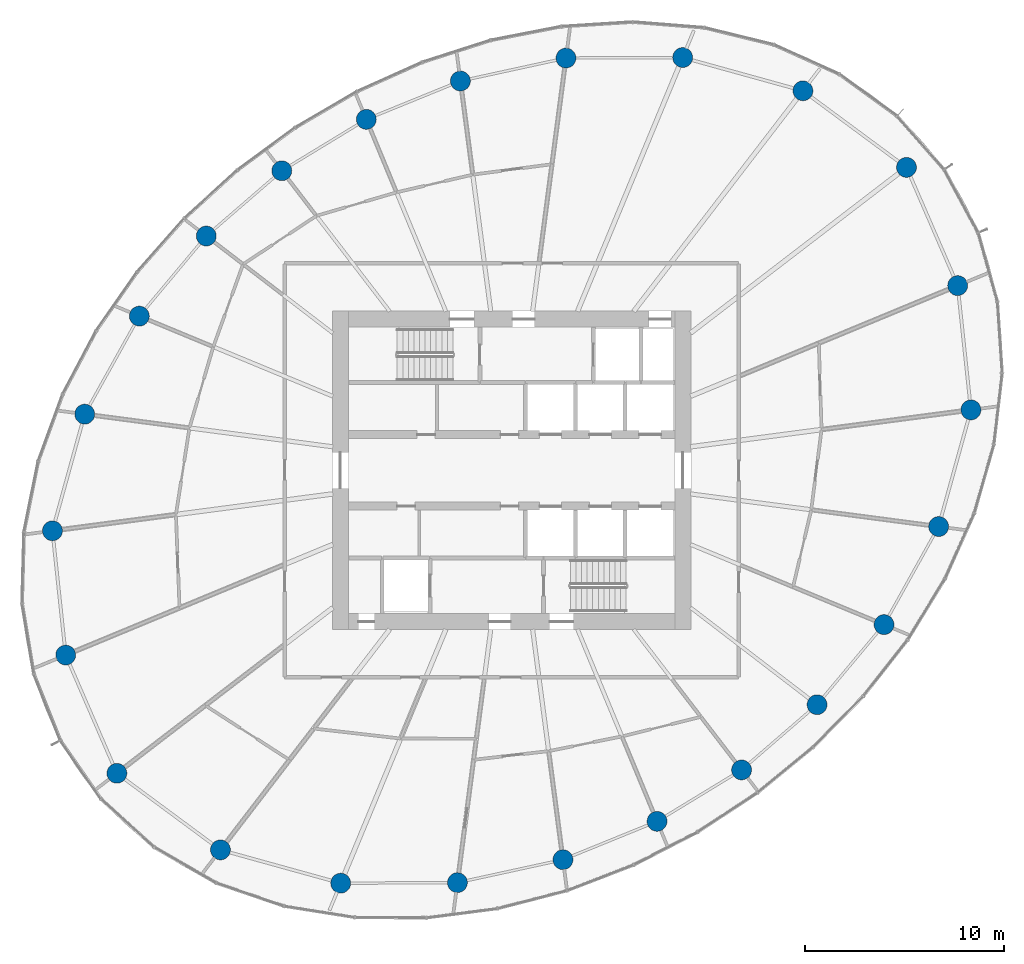
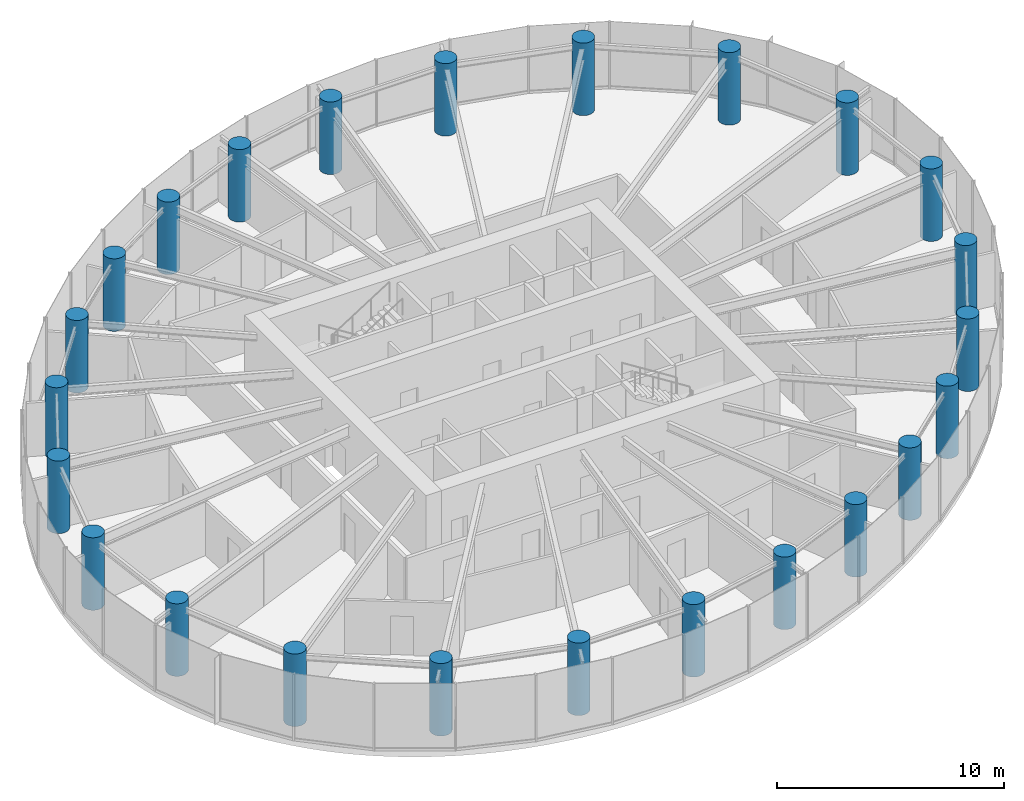
# One storey, part 1 of 14: 24 columns.
"""IFC4 building model written with IfcOpenShell, lengths in metres."""

from ifc_helpers import new_model, si_unit, direction, frame, origin, origin_2d, place, context, subcontext, project, spatial, circle, extrude, source, transform, mapped, material, material_profile, profile_set, type_object, element, save


model = new_model("IFC4")

# Units and contexts
model_context = context("Model", 3, precision=1e-05, world=origin(), true_north=direction((0.0, 1.0)))
body_context = subcontext(model_context, "Body", "Model", "MODEL_VIEW")
ifc_project = project(units=[si_unit("LENGTHUNIT", "METRE"), si_unit("AREAUNIT", "SQUARE_METRE"), si_unit("VOLUMEUNIT", "CUBIC_METRE"), si_unit("PLANEANGLEUNIT", "RADIAN"), si_unit("MASSUNIT", "GRAM", prefix="KILO")], contexts=[model_context])

# Site, building, storey
site_placement = place(None, origin())
site = spatial("IfcSite", under=ifc_project, at=site_placement, CompositionType="ELEMENT")
building_placement = place(site_placement, origin())
building = spatial("IfcBuilding", under=site, at=building_placement, Name="Spindrift Exchange Tower", CompositionType="ELEMENT")
storey_placement = place(building_placement, frame((0.0, 0.0, 152.60009765625)))
storey = spatial("IfcBuildingStorey", under=building, at=storey_placement, Name="L36", CompositionType="ELEMENT", Elevation=152.60009765625)

# Columns
ifc_material = material(Name="Concrete 50 MPa", Category="concrete")
ifc_material_profile = material_profile(ifc_material, circle(Radius=0.5, at=origin_2d()), Name="RC D1000")
ifc_profile_set = profile_set([ifc_material_profile], Name="Concrete 50 MPa")
column_type = type_object("IfcColumnType", Name="RC Perimeter Column D1000 Concrete 50 MPa", PredefinedType="COLUMN", material=ifc_profile_set)
shared_shape = source(origin(), body_context, "Body", "SweptSolid", [
    extrude(circle(Radius=0.5, at=origin_2d()), origin(), (0.0, 0.0, 1.0), 3.89990234375),
])
for number, where, z_axis, x_axis, name in (
    (1, (75.06201171875, 51.0361328125, 0.0), (0.0, 0.0, 1.0), (1.0, 0.0, 0.0), "Perimeter column P3-01 L36"),
    (2, (74.396728515625, 57.277099609375, 0.0), (0.0, 0.0, 1.0), (1.0, 0.0, 0.0), "Perimeter column P3-02 L36"),
    (3, (71.825927734375, 63.212890625, 0.0), (0.0, 0.0, 1.0), (1.0, 0.0, 0.0), "Perimeter column P3-03 L36"),
    (4, (66.625, 67.0595703125, 0.0), (0.0, 0.0, 1.0), (1.0, 0.0, 0.0), "Perimeter column P3-04 L36"),
    (5, (60.5869140625, 68.73095703125, 0.0), (0.0, 0.0, 1.0), (1.0, 0.0, 0.0), "Perimeter column P3-05 L36"),
    (6, (54.725830078125, 68.705322265625, 0.0), (0.0, 0.0, 1.0), (1.0, 0.0, 0.0), "Perimeter column P3-06 L36"),
    (7, (49.426025390625, 67.55126953125, 0.0), (0.0, 0.0, 1.0), (1.0, 0.0, 0.0), "Perimeter column P3-07 L36"),
    (8, (44.69921875, 65.625732421875, 0.0), (0.0, 0.0, 1.0), (1.0, 0.0, 0.0), "Perimeter column P3-08 L36"),
    (9, (40.4560546875, 63.04443359375, 0.0), (0.0, 0.0, 1.0), (1.0, 0.0, 0.0), "Perimeter column P3-09 L36"),
    (10, (36.663818359375, 59.76806640625, 0.0), (0.0, 0.0, 1.0), (1.0, 0.0, 0.0), "Perimeter column P3-10 L36"),
    (11, (33.30078125, 55.74560546875, 0.0), (0.0, 0.0, 1.0), (1.0, 0.0, 0.0), "Perimeter column P3-11 L36"),
    (12, (30.55908203125, 50.82275390625, 0.0), (0.0, 0.0, 1.0), (1.0, 0.0, 0.0), "Perimeter column P3-12 L36"),
    (13, (28.93798828125, 44.9638671875, 0.0), (0.0, 0.0, 1.0), (1.0, 0.0, 0.0), "Perimeter column P3-13 L36"),
    (14, (29.603271484375, 38.722900390625, 0.0), (0.0, 0.0, 1.0), (1.0, 0.0, 0.0), "Perimeter column P3-14 L36"),
    (15, (32.174072265625, 32.787109375, 0.0), (0.0, 0.0, 1.0), (1.0, 0.0, 0.0), "Perimeter column P3-15 L36"),
    (16, (37.375, 28.9404296875, 0.0), (0.0, 0.0, 1.0), (1.0, 0.0, 0.0), "Perimeter column P3-16 L36"),
    (17, (43.4130859375, 27.26904296875, 0.0), (0.0, 0.0, 1.0), (1.0, 0.0, 0.0), "Perimeter column P3-17 L36"),
    (18, (49.274169921875, 27.294677734375, 0.0), (0.0, 0.0, 1.0), (1.0, 0.0, 0.0), "Perimeter column P3-18 L36"),
    (19, (54.573974609375, 28.44873046875, 0.0), (0.0, 0.0, 1.0), (1.0, 0.0, 0.0), "Perimeter column P3-19 L36"),
    (20, (59.30078125, 30.374267578125, 0.0), (0.0, 0.0, 1.0), (1.0, 0.0, 0.0), "Perimeter column P3-20 L36"),
    (21, (63.5439453125, 32.95556640625, 0.0), (0.0, 0.0, 1.0), (1.0, 0.0, 0.0), "Perimeter column P3-21 L36"),
    (22, (67.336181640625, 36.23193359375, 0.0), (0.0, 0.0, 1.0), (1.0, 0.0, 0.0), "Perimeter column P3-22 L36"),
    (23, (70.69921875, 40.25439453125, 0.0), (0.0, 0.0, 1.0), (1.0, 0.0, 0.0), "Perimeter column P3-23 L36"),
    (24, (73.44091796875, 45.17724609375, 0.0), (0.0, 0.0, 1.0), (1.0, 0.0, 0.0), "Perimeter column P3-24 L36"),
):
    element("IfcColumn", number, at=place(storey_placement, frame(where, z_axis=z_axis, x_axis=x_axis)), inside=storey, type_object=column_type, Name=name, PredefinedType="COLUMN", context=body_context, shape_type="MappedRepresentation", body=[
        mapped(shared_shape, transform((0.0, 0.0, 0.0), scale=1.0)),
    ])

save(model, "model.ifc")
